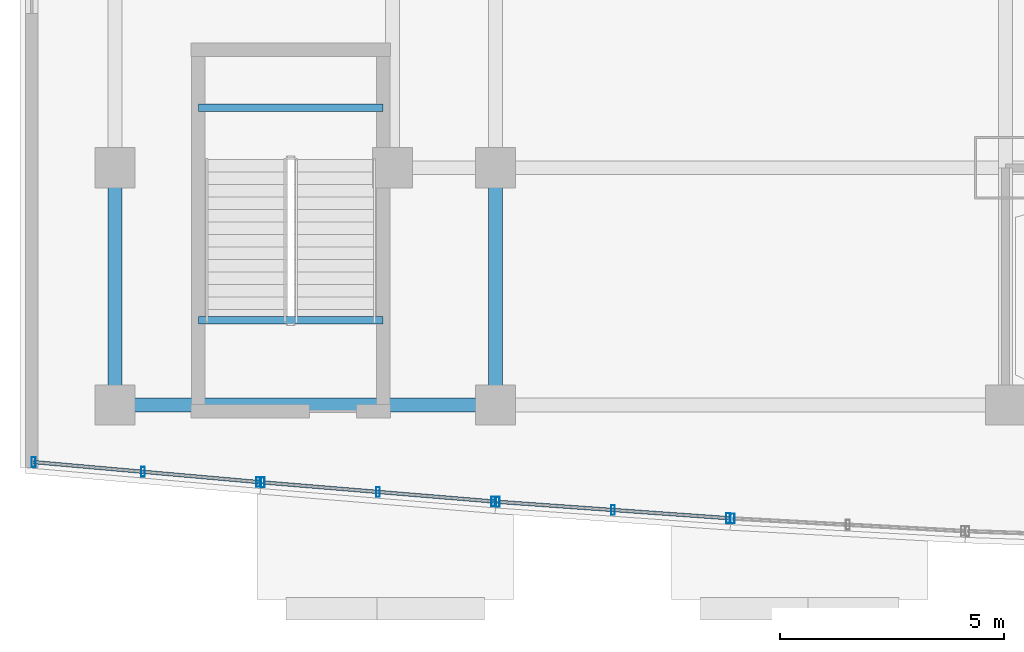
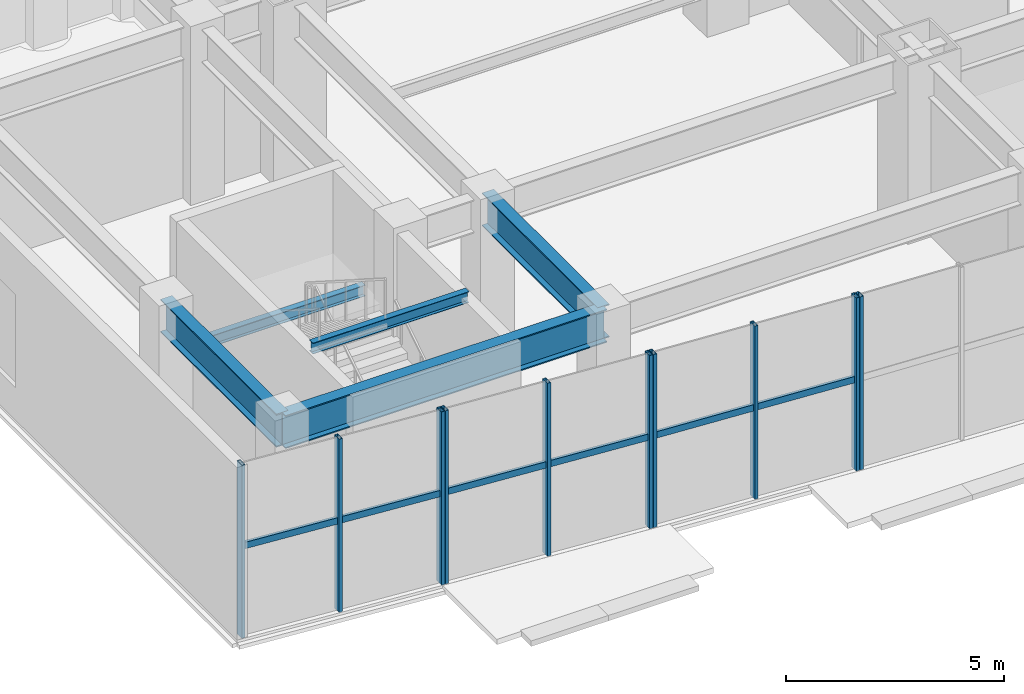
# One storey, part 2 of 24: 13 members, 5 beams, 4 elements without a shape of their own.
"""IFC4 building model written with IfcOpenShell, lengths in metres."""

from ifc_helpers import new_model, si_unit, direction, frame, origin, origin_2d, place, context, subcontext, project, spatial, hollow_rectangle, i_section, extrude, material, layer, layer_set, material_profile, profile_set, type_object, element, aggregate, save


model = new_model("IFC4")

# Units and contexts
model_context = context("Model", 3, precision=1e-05, world=origin(), true_north=direction((0.0, 1.0)))
body_context = subcontext(model_context, "Body", "Model", "MODEL_VIEW")
ifc_project = project(units=[si_unit("LENGTHUNIT", "METRE"), si_unit("AREAUNIT", "SQUARE_METRE"), si_unit("VOLUMEUNIT", "CUBIC_METRE"), si_unit("PLANEANGLEUNIT", "RADIAN"), si_unit("MASSUNIT", "GRAM", prefix="KILO")], contexts=[model_context])

# Site, building, storey
site_placement = place(None, origin())
site = spatial("IfcSite", under=ifc_project, at=site_placement, CompositionType="ELEMENT")
building_placement = place(site_placement, origin())
building = spatial("IfcBuilding", under=site, at=building_placement, Name="Vantalir Tower", CompositionType="ELEMENT")
storey_placement = place(building_placement, frame((0.0, 0.0, 6.0)))
storey = spatial("IfcBuildingStorey", under=building, at=storey_placement, Name="L01", CompositionType="ELEMENT", Elevation=6.0)

# Beams
ifc_material_1 = material(Name="Steel S355", Category="steel")
ifc_material_profile_1 = material_profile(ifc_material_1, i_section(OverallWidth=0.166015625, OverallDepth=0.306884765625, WebThickness=0.006591796875, FlangeThickness=0.01171875, at=origin_2d()), Name="Steel S355")
ifc_profile_set_1 = profile_set([ifc_material_profile_1], Name="Steel S355")
beam_type_1 = type_object("IfcBeamType", Name="BM-JS-305x165", PredefinedType="JOIST", material=ifc_profile_set_1)
for number, where, z_axis, x_axis, name in (
    (1, (3.860107421875, 5.094970703125, 4.845947265625), (1.0, 0.0, 0.0), (0.0, 1.0, 0.0), "Level 02 Stair PST3 Well Nosing Trimmer Beam"),
    (2, (3.860107421875, 9.844970703125, 2.14697265625), (1.0, 0.0, 0.0), (0.0, 1.0, 0.0), "Level 01 Stair PST3 Half-Landing Support Beam"),
):
    element("IfcBeam", number, at=place(storey_placement, frame(where, z_axis=z_axis, x_axis=x_axis)), inside=storey, type_object=beam_type_1, Name=name, PredefinedType="JOIST", context=body_context, shape_type="SweptSolid", body=[
        extrude(i_section(OverallWidth=0.166015625, OverallDepth=0.306884765625, WebThickness=0.006591796875, FlangeThickness=0.01171875, at=origin_2d()), origin(), (0.0, 0.0, 1.0), 4.1298828125),
    ])
ifc_material_profile_2 = material_profile(ifc_material_1, i_section(OverallWidth=0.30810546875, OverallDepth=0.927001953125, WebThickness=0.01953125, FlangeThickness=0.031982421875, at=origin_2d()), Name="Steel S355")
ifc_profile_set_2 = profile_set([ifc_material_profile_2], Name="Steel S355")
beam_type_2 = type_object("IfcBeamType", Name="BM-PG-914x305", PredefinedType="USERDEFINED", material=ifc_profile_set_2)
beam_placement = place(storey_placement, frame((2.0, 3.199951171875, 4.35595703125), z_axis=(1.0, 0.0, 0.0), x_axis=(0.0, 1.0, 0.0)))
element("IfcBeam", 3, at=beam_placement, inside=storey, type_object=beam_type_2, Name="Level 01 Podium E-W Girder 01", ObjectType="GIRDER", PredefinedType="USERDEFINED", context=body_context, shape_type="SweptSolid", body=[
    extrude(i_section(OverallWidth=0.30810546875, OverallDepth=0.927001953125, WebThickness=0.01953125, FlangeThickness=0.031982421875, at=origin_2d()), origin(), (0.0, 0.0, 1.0), 8.5),
])
for number, where, z_axis, x_axis, name in (
    (4, (2.0, 3.199951171875, 4.35595703125), (0.0, 1.0, 0.0), (-1.0, 0.0, 0.0), "Level 01 Podium N-S Girder 41"),
    (5, (10.5, 3.199951171875, 4.35595703125), (0.0, 1.0, 0.0), (-1.0, 0.0, 0.0), "Level 01 Podium N-S Girder 50"),
):
    element("IfcBeam", number, at=place(storey_placement, frame(where, z_axis=z_axis, x_axis=x_axis)), inside=storey, type_object=beam_type_2, Name=name, ObjectType="GIRDER", PredefinedType="USERDEFINED", context=body_context, shape_type="SweptSolid", body=[
        extrude(i_section(OverallWidth=0.30810546875, OverallDepth=0.927001953125, WebThickness=0.01953125, FlangeThickness=0.031982421875, at=origin_2d()), origin(), (0.0, 0.0, 1.0), 5.300048828125),
    ])

# Curtain wall, members
ifc_material_2 = material(Name="Champagne-silver PVDF aluminium and double-silver Low-E glass", Category="aluminium")
ifc_layer = layer(ifc_material_2, 0.239990234375)
ifc_layer_set = layer_set([ifc_layer], Name="Champagne-silver PVDF aluminium and double-silver Low-E glass")
curtain_wall_type = type_object("IfcCurtainWallType", Name="CW-PODIUM-WF", PredefinedType="USERDEFINED", material=ifc_layer_set)
curtain_wall_1_placement = place(storey_placement, origin())
curtain_wall_1 = element("IfcCurtainWall", 6, at=curtain_wall_1_placement, inside=storey, type_object=curtain_wall_type, Name="Level 01 Waterfront Stick Curtain Wall 01", ObjectType="STICK CURTAIN WALL", PredefinedType="USERDEFINED")
ifc_material_3 = material(Name="Champagne-silver PVDF aluminium 6063-T6", Category="aluminium")
ifc_material_profile_3 = material_profile(ifc_material_3, hollow_rectangle(XDim=0.0849609375, YDim=0.219970703125, WallThickness=0.0048828125, at=origin_2d()), Name="Champagne-silver PVDF aluminium 6063-T6")
ifc_profile_set_3 = profile_set([ifc_material_profile_3], Name="Champagne-silver PVDF aluminium 6063-T6")
member_type_1 = type_object("IfcMemberType", Name="CWM-220x85", PredefinedType="MULLION", material=ifc_profile_set_3)
member_1_placement = place(storey_placement, frame((0.178955078125, 1.924072265625, -0.011962890625), z_axis=(0.0, 0.0, 1.0), x_axis=(1.0, 0.0, 0.0)))
member_1 = element("IfcMember", 7, at=member_1_placement, type_object=member_type_1, Name="CW-L01-WF-01 Mullion 1", PredefinedType="MULLION", context=body_context, shape_type="SweptSolid", body=[
    extrude(hollow_rectangle(XDim=0.0849609375, YDim=0.219970703125, WallThickness=0.0048828125, at=origin_2d()), origin(), (0.0, 0.0, 1.0), 4.843994140625),
])
member_2_placement = place(storey_placement, frame((2.625, 1.70703125, -0.011962890625), z_axis=(0.0, 0.0, 1.0), x_axis=(1.0, 0.0, 0.0)))
member_2 = element("IfcMember", 8, at=member_2_placement, type_object=member_type_1, Name="CW-L01-WF-01 Mullion 2", PredefinedType="MULLION", context=body_context, shape_type="SweptSolid", body=[
    extrude(hollow_rectangle(XDim=0.0849609375, YDim=0.219970703125, WallThickness=0.0048828125, at=origin_2d()), origin(), (0.0, 0.0, 1.0), 4.843994140625),
])
member_3_placement = place(storey_placement, frame((5.199951171875, 1.47802734375, -0.011962890625), z_axis=(0.0, 0.0, 1.0), x_axis=(1.0, 0.0, 0.0)))
member_3 = element("IfcMember", 9, at=member_3_placement, type_object=member_type_1, Name="CW-L01-WF-01 Mullion 3", PredefinedType="MULLION", context=body_context, shape_type="SweptSolid", body=[
    extrude(hollow_rectangle(XDim=0.0849609375, YDim=0.219970703125, WallThickness=0.0048828125, at=origin_2d()), origin(), (0.0, 0.0, 1.0), 4.843994140625),
])

curtain_wall_2_placement = place(storey_placement, origin())
curtain_wall_2 = element("IfcCurtainWall", 10, at=curtain_wall_2_placement, inside=storey, type_object=curtain_wall_type, Name="Level 01 Waterfront Stick Curtain Wall 02", ObjectType="STICK CURTAIN WALL", PredefinedType="USERDEFINED")
member_4_placement = place(storey_placement, frame((5.300048828125, 1.469970703125, -0.011962890625), z_axis=(0.0, 0.0, 1.0), x_axis=(1.0, 0.0, 0.0)))
member_4 = element("IfcMember", 11, at=member_4_placement, type_object=member_type_1, Name="CW-L01-WF-02 Mullion 1", PredefinedType="MULLION", context=body_context, shape_type="SweptSolid", body=[
    extrude(hollow_rectangle(XDim=0.0849609375, YDim=0.219970703125, WallThickness=0.0048828125, at=origin_2d()), origin(), (0.0, 0.0, 1.0), 4.843994140625),
])
member_5_placement = place(storey_placement, frame((7.875, 1.257080078125, -0.011962890625), z_axis=(0.0, 0.0, 1.0), x_axis=(1.0, 0.0, 0.0)))
member_5 = element("IfcMember", 12, at=member_5_placement, type_object=member_type_1, Name="CW-L01-WF-02 Mullion 2", PredefinedType="MULLION", context=body_context, shape_type="SweptSolid", body=[
    extrude(hollow_rectangle(XDim=0.0849609375, YDim=0.219970703125, WallThickness=0.0048828125, at=origin_2d()), origin(), (0.0, 0.0, 1.0), 4.843994140625),
])
member_6_placement = place(storey_placement, frame((10.449951171875, 1.0439453125, -0.011962890625), z_axis=(0.0, 0.0, 1.0), x_axis=(1.0, 0.0, 0.0)))
member_6 = element("IfcMember", 13, at=member_6_placement, type_object=member_type_1, Name="CW-L01-WF-02 Mullion 3", PredefinedType="MULLION", context=body_context, shape_type="SweptSolid", body=[
    extrude(hollow_rectangle(XDim=0.0849609375, YDim=0.219970703125, WallThickness=0.0048828125, at=origin_2d()), origin(), (0.0, 0.0, 1.0), 4.843994140625),
])

curtain_wall_3_placement = place(storey_placement, origin())
curtain_wall_3 = element("IfcCurtainWall", 14, at=curtain_wall_3_placement, inside=storey, type_object=curtain_wall_type, Name="Level 01 Waterfront Stick Curtain Wall 03", ObjectType="STICK CURTAIN WALL", PredefinedType="USERDEFINED")
member_7_placement = place(storey_placement, frame((10.550048828125, 1.035888671875, -0.011962890625), z_axis=(0.0, 0.0, 1.0), x_axis=(1.0, 0.0, 0.0)))
member_7 = element("IfcMember", 15, at=member_7_placement, type_object=member_type_1, Name="CW-L01-WF-03 Mullion 1", PredefinedType="MULLION", context=body_context, shape_type="SweptSolid", body=[
    extrude(hollow_rectangle(XDim=0.0849609375, YDim=0.219970703125, WallThickness=0.0048828125, at=origin_2d()), origin(), (0.0, 0.0, 1.0), 4.843994140625),
])
member_8_placement = place(storey_placement, frame((13.125, 0.85400390625, -0.011962890625), z_axis=(0.0, 0.0, 1.0), x_axis=(1.0, 0.0, 0.0)))
member_8 = element("IfcMember", 16, at=member_8_placement, type_object=member_type_1, Name="CW-L01-WF-03 Mullion 2", PredefinedType="MULLION", context=body_context, shape_type="SweptSolid", body=[
    extrude(hollow_rectangle(XDim=0.0849609375, YDim=0.219970703125, WallThickness=0.0048828125, at=origin_2d()), origin(), (0.0, 0.0, 1.0), 4.843994140625),
])
member_9_placement = place(storey_placement, frame((15.699951171875, 0.6708984375, -0.011962890625), z_axis=(0.0, 0.0, 1.0), x_axis=(1.0, 0.0, 0.0)))
member_9 = element("IfcMember", 17, at=member_9_placement, type_object=member_type_1, Name="CW-L01-WF-03 Mullion 3", PredefinedType="MULLION", context=body_context, shape_type="SweptSolid", body=[
    extrude(hollow_rectangle(XDim=0.0849609375, YDim=0.219970703125, WallThickness=0.0048828125, at=origin_2d()), origin(), (0.0, 0.0, 1.0), 4.843994140625),
])

# Curtain wall, member
curtain_wall_4_placement = place(storey_placement, origin())
curtain_wall_4 = element("IfcCurtainWall", 18, at=curtain_wall_4_placement, inside=storey, type_object=curtain_wall_type, Name="Level 01 Waterfront Stick Curtain Wall 04", ObjectType="STICK CURTAIN WALL", PredefinedType="USERDEFINED")
member_10_placement = place(storey_placement, frame((15.800048828125, 0.6640625, -0.011962890625), z_axis=(0.0, 0.0, 1.0), x_axis=(1.0, 0.0, 0.0)))
member_10 = element("IfcMember", 19, at=member_10_placement, type_object=member_type_1, Name="CW-L01-WF-04 Mullion 1", PredefinedType="MULLION", context=body_context, shape_type="SweptSolid", body=[
    extrude(hollow_rectangle(XDim=0.0849609375, YDim=0.219970703125, WallThickness=0.0048828125, at=origin_2d()), origin(), (0.0, 0.0, 1.0), 4.843994140625),
])
aggregate(curtain_wall_4, [member_10])

# Member
ifc_material_profile_4 = material_profile(ifc_material_3, hollow_rectangle(XDim=0.080078125, YDim=0.179931640625, WallThickness=0.0048828125, at=origin_2d()), Name="Champagne-silver PVDF aluminium 6063-T6")
ifc_profile_set_4 = profile_set([ifc_material_profile_4], Name="Champagne-silver PVDF aluminium 6063-T6")
member_type_2 = type_object("IfcMemberType", Name="CWT-180x80", PredefinedType="USERDEFINED", material=ifc_profile_set_4)
member_11_placement = place(storey_placement, frame((0.178955078125, 1.924072265625, 2.506103515625), z_axis=(0.996077290425, -0.088487465215, 0.0), x_axis=(0.088487465215, 0.996077290425, 0.0)))
member_11 = element("IfcMember", 20, at=member_11_placement, type_object=member_type_2, Name="CW-L01-WF-01 Transom 1", ObjectType="TRANSOM", PredefinedType="USERDEFINED", context=body_context, shape_type="SweptSolid", body=[
    extrude(hollow_rectangle(XDim=0.080078125, YDim=0.179931640625, WallThickness=0.0048828125, at=origin_2d()), origin(), (0.0, 0.0, 1.0), 5.040771484375),
])

aggregate(curtain_wall_1, [member_1, member_2, member_3, member_11])

member_12_placement = place(storey_placement, frame((5.300048828125, 1.469970703125, 2.506103515625), z_axis=(0.996595754271, -0.08244332944, 0.0), x_axis=(0.08244332944, 0.996595754271, 0.0)))
member_12 = element("IfcMember", 21, at=member_12_placement, type_object=member_type_2, Name="CW-L01-WF-02 Transom 1", ObjectType="TRANSOM", PredefinedType="USERDEFINED", context=body_context, shape_type="SweptSolid", body=[
    extrude(hollow_rectangle(XDim=0.080078125, YDim=0.179931640625, WallThickness=0.0048828125, at=origin_2d()), origin(), (0.0, 0.0, 1.0), 5.16748046875),
])

aggregate(curtain_wall_2, [member_4, member_5, member_6, member_12])

member_13_placement = place(storey_placement, frame((10.550048828125, 1.035888671875, 2.506103515625), z_axis=(0.997497914419, -0.070695903198, 0.0), x_axis=(0.070695903198, 0.997497914419, 0.0)))
member_13 = element("IfcMember", 22, at=member_13_placement, type_object=member_type_2, Name="CW-L01-WF-03 Transom 1", ObjectType="TRANSOM", PredefinedType="USERDEFINED", context=body_context, shape_type="SweptSolid", body=[
    extrude(hollow_rectangle(XDim=0.080078125, YDim=0.179931640625, WallThickness=0.0048828125, at=origin_2d()), origin(), (0.0, 0.0, 1.0), 5.162841796875),
])

aggregate(curtain_wall_3, [member_7, member_8, member_9, member_13])

save(model, "model.ifc")
